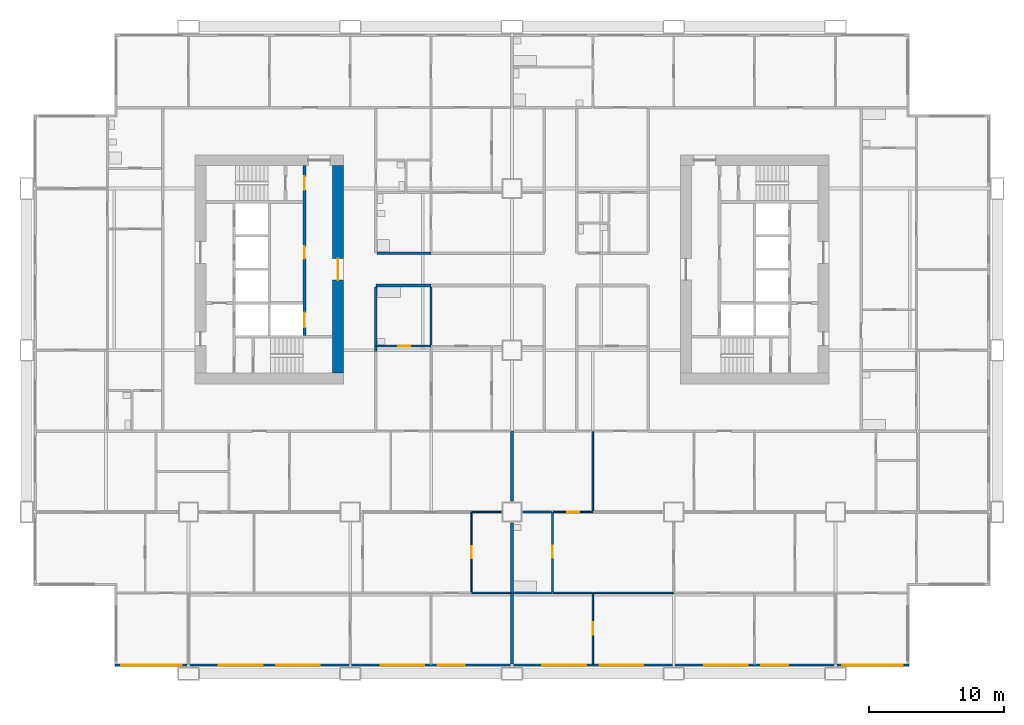
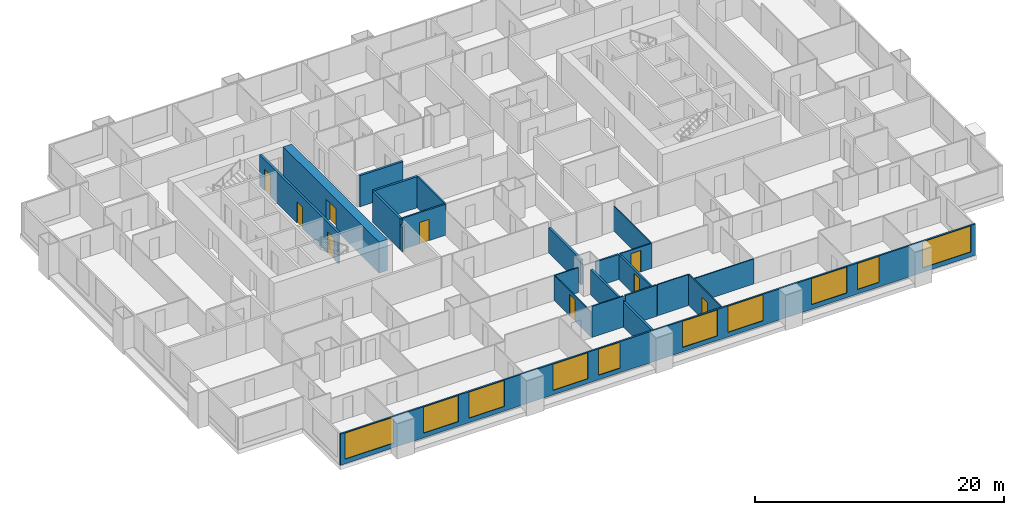
# One storey, part 4 of 13: 23 walls, 10 windows, 9 doors, 19 openings.
"""IFC4 building model written with IfcOpenShell, lengths in metres."""

from ifc_helpers import new_model, si_unit, direction, frame, frame_2d, origin, place, context, subcontext, project, spatial, rectangle, extrude, material, layer, layer_set, type_object, element, fill, save


model = new_model("IFC4")

# Units and contexts
model_context = context("Model", 3, precision=1e-05, world=origin(), true_north=direction((0.0, 1.0)))
body_context = subcontext(model_context, "Body", "Model", "MODEL_VIEW")
ifc_project = project(units=[si_unit("LENGTHUNIT", "METRE"), si_unit("AREAUNIT", "SQUARE_METRE"), si_unit("VOLUMEUNIT", "CUBIC_METRE"), si_unit("PLANEANGLEUNIT", "RADIAN"), si_unit("MASSUNIT", "GRAM", prefix="KILO")], contexts=[model_context])

# Site, building, storey
site_placement = place(None, origin())
site = spatial("IfcSite", under=ifc_project, at=site_placement, CompositionType="ELEMENT")
building_placement = place(site_placement, origin())
building = spatial("IfcBuilding", under=site, at=building_placement, Name="Kitamizu Gate Tower and Museum", CompositionType="ELEMENT")
storey_placement = place(building_placement, frame((0.0, 0.0, 88.64990234375)))
storey = spatial("IfcBuildingStorey", under=building, at=storey_placement, Name="L22", CompositionType="ELEMENT", Elevation=88.64990234375)

# Wall, opening, door
ifc_material_1 = material(Name="Concrete Fc60", Category="concrete")
ifc_layer_1 = layer(ifc_material_1, 0.800048828125)
ifc_layer_set_1 = layer_set([ifc_layer_1], Name="Concrete Fc60")
wall_type_1 = type_object("IfcWallType", Name="Core wall 800", PredefinedType="SHEAR", material=ifc_layer_set_1)
wall_1_placement = place(storey_placement, frame((23.10009765625, 22.300048828125, 0.0), z_axis=(0.0, 0.0, 1.0), x_axis=(0.0, 1.0, 0.0)))
wall_1 = element("IfcWall", 1, at=wall_1_placement, inside=storey, type_object=wall_type_1, Name="Core wall WARC", PredefinedType="SHEAR", context=body_context, shape_type="SweptSolid", body=[
    extrude(rectangle(XDim=15.39990234375, YDim=0.800048828125, at=frame_2d((7.699951171875, 0.0))), origin(), (0.0, 0.0, 1.0), 3.050048828125),
])
opening_1_placement = place(wall_1_placement, frame((6.89990234375, 0.0, 0.0)))
opening_1 = element("IfcOpeningElement", 2, at=opening_1_placement, cuts=wall_1, Name="Opening L22-084", PredefinedType="OPENING", context=body_context, shape_type="SweptSolid", body=[
    extrude(rectangle(XDim=1.60009765625, YDim=2.10009765625, at=frame_2d((0.800048828125, 1.050048828125))), frame((0.0, 0.41015625, 0.0), z_axis=(0.0, -1.0, 0.0), x_axis=(1.0, 0.0, 0.0)), (0.0, 0.0, 1.0), 0.820068359375),
])
ifc_material_2 = material(Name="Timber door set", Category="wood")
door_type_1 = type_object("IfcDoorType", Name="Entrance door 1600", OperationType="DOUBLE_DOOR_SINGLE_SWING", PredefinedType="DOOR", material=ifc_material_2)
door_1_placement = place(opening_1_placement, origin())
door_1 = element("IfcDoor", 3, at=door_1_placement, inside=storey, type_object=door_type_1, Name="Lobby door L22-084", OperationType="DOUBLE_DOOR_SINGLE_SWING", OverallHeight=2.10009765625, OverallWidth=1.60009765625, PredefinedType="DOOR", context=body_context, shape_type="SweptSolid", body=[
    extrude(rectangle(XDim=1.60009765625, YDim=2.10009765625, at=frame_2d((0.800048828125, 1.050048828125))), frame((0.0, 0.02490234375, 0.0), z_axis=(0.0, -1.0, 0.0), x_axis=(1.0, 0.0, 0.0)), (0.0, 0.0, 1.0), 0.050048828125),
])
fill(opening_1, door_1)

# Wall
ifc_material_3 = material(Name="Gypsum board on galvanised stud")
ifc_layer_2 = layer(ifc_material_3, 0.10009765625)
ifc_layer_set_2 = layer_set([ifc_layer_2], Name="Gypsum board on galvanised stud")
wall_type_2 = type_object("IfcWallType", Name="Partition 100 NOT RATED", PredefinedType="PARTITIONING", material=ifc_layer_set_2)
wall_2_placement = place(storey_placement, frame((35.89990234375, 6.0, 0.0), z_axis=(0.0, 0.0, 1.0), x_axis=(-1.0, 0.0, 0.0)))
element("IfcWall", 4, at=wall_2_placement, inside=storey, type_object=wall_type_2, Name="Partition L22-011", PredefinedType="PARTITIONING", context=body_context, shape_type="SweptSolid", body=[
    extrude(rectangle(XDim=2.89990234375, YDim=0.10009765625, at=frame_2d((1.449951171875, 0.0))), origin(), (0.0, 0.0, 1.0), 3.050048828125),
])

# Wall, opening, door
wall_3_placement = place(storey_placement, frame((33.0, 6.050048828125, 0.0), z_axis=(0.0, 0.0, 1.0), x_axis=(0.0, 1.0, 0.0)))
wall_3 = element("IfcWall", 5, at=wall_3_placement, inside=storey, type_object=wall_type_2, Name="Partition L22-023", PredefinedType="PARTITIONING", context=body_context, shape_type="SweptSolid", body=[
    extrude(rectangle(XDim=5.949951171875, YDim=0.10009765625, at=frame_2d((2.97509765625, 0.0))), origin(), (0.0, 0.0, 1.0), 2.4501953125),
])
opening_2_placement = place(wall_3_placement, frame((2.52490234375, 0.0, 0.0)))
opening_2 = element("IfcOpeningElement", 6, at=opening_2_placement, cuts=wall_3, Name="Opening L22-010", PredefinedType="OPENING", context=body_context, shape_type="SweptSolid", body=[
    extrude(rectangle(XDim=0.89990234375, YDim=2.10009765625, at=frame_2d((0.449951171875, 1.050048828125))), frame((0.0, 0.06005859375, 0.0), z_axis=(0.0, -1.0, 0.0), x_axis=(1.0, 0.0, 0.0)), (0.0, 0.0, 1.0), 0.1201171875),
])
ifc_material_4 = material(Name="Timber door set", Category="wood")
door_type_2 = type_object("IfcDoorType", Name="Room door 900", OperationType="NOTDEFINED", PredefinedType="DOOR", material=ifc_material_4)
door_2_placement = place(opening_2_placement, frame((0.89990234375, 0.0, 0.0), x_axis=(-1.0, 0.0, 0.0)))
door_2 = element("IfcDoor", 7, at=door_2_placement, inside=storey, type_object=door_type_2, Name="Door L22-010", OperationType="SINGLE_SWING_RIGHT", OverallHeight=2.10009765625, OverallWidth=0.89990234375, PredefinedType="DOOR", context=body_context, shape_type="SweptSolid", body=[
    extrude(rectangle(XDim=0.89990234375, YDim=2.10009765625, at=frame_2d((0.449951171875, 1.050048828125))), frame((0.0, 0.02490234375, 0.0), z_axis=(0.0, -1.0, 0.0), x_axis=(1.0, 0.0, 0.0)), (0.0, 0.0, 1.0), 0.050048828125),
])
fill(opening_2, door_2)

# Wall
wall_4_placement = place(storey_placement, frame((35.199951171875, 12.0, 0.0), z_axis=(0.0, 0.0, 1.0), x_axis=(-1.0, 0.0, 0.0)))
element("IfcWall", 8, at=wall_4_placement, inside=storey, type_object=wall_type_2, Name="Partition L22-026", PredefinedType="PARTITIONING", context=body_context, shape_type="SweptSolid", body=[
    extrude(rectangle(XDim=2.14990234375, YDim=0.10009765625, at=frame_2d((1.074951171875, 0.0))), origin(), (0.0, 0.0, 1.0), 2.4501953125),
])

# Wall, opening, door
wall_5_placement = place(storey_placement, frame((42.0, 0.719970703125, 0.0), z_axis=(0.0, 0.0, 1.0), x_axis=(0.0, 1.0, 0.0)))
wall_5 = element("IfcWall", 9, at=wall_5_placement, inside=storey, type_object=wall_type_2, Name="Partition L22-121", PredefinedType="PARTITIONING", context=body_context, shape_type="SweptSolid", body=[
    extrude(rectangle(XDim=5.280029296875, YDim=0.10009765625, at=frame_2d((2.64013671875, 0.0))), origin(), (0.0, 0.0, 1.0), 3.050048828125),
])
opening_3_placement = place(wall_5_placement, frame((2.18994140625, 0.0, 0.0)))
opening_3 = element("IfcOpeningElement", 10, at=opening_3_placement, cuts=wall_5, Name="Opening L22-048", PredefinedType="OPENING", context=body_context, shape_type="SweptSolid", body=[
    extrude(rectangle(XDim=0.89990234375, YDim=2.10009765625, at=frame_2d((0.449951171875, 1.050048828125))), frame((0.0, 0.06005859375, 0.0), z_axis=(0.0, -1.0, 0.0), x_axis=(1.0, 0.0, 0.0)), (0.0, 0.0, 1.0), 0.1201171875),
])
door_3_placement = place(opening_3_placement, origin())
door_3 = element("IfcDoor", 11, at=door_3_placement, inside=storey, type_object=door_type_2, Name="Door L22-048", OperationType="SINGLE_SWING_LEFT", OverallHeight=2.10009765625, OverallWidth=0.89990234375, PredefinedType="DOOR", context=body_context, shape_type="SweptSolid", body=[
    extrude(rectangle(XDim=0.89990234375, YDim=2.10009765625, at=frame_2d((0.449951171875, 1.050048828125))), frame((0.0, 0.02490234375, 0.0), z_axis=(0.0, -1.0, 0.0), x_axis=(1.0, 0.0, 0.0)), (0.0, 0.0, 1.0), 0.050048828125),
])
fill(opening_3, door_3)

# Walls
wall_6_placement = place(storey_placement, frame((41.949951171875, 6.0, 0.0), z_axis=(0.0, 0.0, 1.0), x_axis=(-1.0, 0.0, 0.0)))
element("IfcWall", 12, at=wall_6_placement, inside=storey, type_object=wall_type_2, Name="Partition L22-123", PredefinedType="PARTITIONING", context=body_context, shape_type="SweptSolid", body=[
    extrude(rectangle(XDim=2.875, YDim=0.10009765625, at=frame_2d((1.4375, 0.0))), origin(), (0.0, 0.0, 1.0), 3.050048828125),
])
wall_7_placement = place(storey_placement, frame((48.0, 6.0, 0.0), z_axis=(0.0, 0.0, 1.0), x_axis=(-1.0, 0.0, 0.0)))
element("IfcWall", 13, at=wall_7_placement, inside=storey, type_object=wall_type_2, Name="Partition L22-125", PredefinedType="PARTITIONING", context=body_context, shape_type="SweptSolid", body=[
    extrude(rectangle(XDim=5.949951171875, YDim=0.10009765625, at=frame_2d((2.97509765625, 0.0))), origin(), (0.0, 0.0, 1.0), 2.4501953125),
])

# Wall, opening, door
wall_8_placement = place(storey_placement, frame((42.0, 12.0, 0.0), z_axis=(0.0, 0.0, 1.0), x_axis=(-1.0, 0.0, 0.0)))
wall_8 = element("IfcWall", 14, at=wall_8_placement, inside=storey, type_object=wall_type_2, Name="Partition L22-134", PredefinedType="PARTITIONING", context=body_context, shape_type="SweptSolid", body=[
    extrude(rectangle(XDim=2.925048828125, YDim=0.10009765625, at=frame_2d((1.46240234375, 0.0))), origin(), (0.0, 0.0, 1.0), 2.4501953125),
])
opening_4_placement = place(wall_8_placement, frame((1.012451171875, 0.0, 0.0)))
opening_4 = element("IfcOpeningElement", 15, at=opening_4_placement, cuts=wall_8, Name="Opening L22-051", PredefinedType="OPENING", context=body_context, shape_type="SweptSolid", body=[
    extrude(rectangle(XDim=0.89990234375, YDim=2.10009765625, at=frame_2d((0.449951171875, 1.050048828125))), frame((0.0, 0.06005859375, 0.0), z_axis=(0.0, -1.0, 0.0), x_axis=(1.0, 0.0, 0.0)), (0.0, 0.0, 1.0), 0.1201171875),
])
door_4_placement = place(opening_4_placement, frame((0.89990234375, 0.0, 0.0), x_axis=(-1.0, 0.0, 0.0)))
door_4 = element("IfcDoor", 16, at=door_4_placement, inside=storey, type_object=door_type_2, Name="Door L22-051", OperationType="SINGLE_SWING_LEFT", OverallHeight=2.10009765625, OverallWidth=0.89990234375, PredefinedType="DOOR", context=body_context, shape_type="SweptSolid", body=[
    extrude(rectangle(XDim=0.89990234375, YDim=2.10009765625, at=frame_2d((0.449951171875, 1.050048828125))), frame((0.0, 0.02490234375, 0.0), z_axis=(0.0, -1.0, 0.0), x_axis=(1.0, 0.0, 0.0)), (0.0, 0.0, 1.0), 0.050048828125),
])
fill(opening_4, door_4)

# Wall
wall_9_placement = place(storey_placement, frame((42.0, 12.050048828125, 0.0), z_axis=(0.0, 0.0, 1.0), x_axis=(0.0, 1.0, 0.0)))
element("IfcWall", 17, at=wall_9_placement, inside=storey, type_object=wall_type_2, Name="Partition L22-145", PredefinedType="PARTITIONING", context=body_context, shape_type="SweptSolid", body=[
    extrude(rectangle(XDim=5.949951171875, YDim=0.10009765625, at=frame_2d((2.97509765625, 0.0))), origin(), (0.0, 0.0, 1.0), 2.4501953125),
])

# Wall, opening, door
ifc_material_5 = material(Name="Gypsum board on galvanised stud")
ifc_layer_3 = layer(ifc_material_5, 0.14990234375)
ifc_layer_set_3 = layer_set([ifc_layer_3], Name="Gypsum board on galvanised stud")
wall_type_3 = type_object("IfcWallType", Name="Partition 150", PredefinedType="PARTITIONING", material=ifc_layer_set_3)
wall_10_placement = place(storey_placement, frame((30.0, 24.300048828125, 0.0), z_axis=(0.0, 0.0, 1.0), x_axis=(-1.0, 0.0, 0.0)))
wall_10 = element("IfcWall", 18, at=wall_10_placement, inside=storey, type_object=wall_type_3, Name="Partition L22-048", PredefinedType="PARTITIONING", context=body_context, shape_type="SweptSolid", body=[
    extrude(rectangle(XDim=4.0, YDim=0.14990234375, at=frame_2d((2.0, 0.0))), origin(), (0.0, 0.0, 1.0), 3.050048828125),
])
opening_5_placement = place(wall_10_placement, frame((1.550048828125, 0.0, 0.0)))
opening_5 = element("IfcOpeningElement", 19, at=opening_5_placement, cuts=wall_10, Name="Opening L22-019", PredefinedType="OPENING", context=body_context, shape_type="SweptSolid", body=[
    extrude(rectangle(XDim=0.89990234375, YDim=2.10009765625, at=frame_2d((0.449951171875, 1.050048828125))), frame((0.0, 0.0849609375, 0.0), z_axis=(0.0, -1.0, 0.0), x_axis=(1.0, 0.0, 0.0)), (0.0, 0.0, 1.0), 0.169921875),
])
ifc_material_6 = material(Name="Timber door set", Category="wood")
door_type_3 = type_object("IfcDoorType", Name="Bathroom door 900", OperationType="NOTDEFINED", PredefinedType="DOOR", material=ifc_material_6)
door_5_placement = place(opening_5_placement, frame((0.89990234375, 0.0, 0.0), x_axis=(-1.0, 0.0, 0.0)))
door_5 = element("IfcDoor", 20, at=door_5_placement, inside=storey, type_object=door_type_3, Name="Bathroom door L22-019", OperationType="SINGLE_SWING_RIGHT", OverallHeight=2.10009765625, OverallWidth=0.89990234375, PredefinedType="DOOR", context=body_context, shape_type="SweptSolid", body=[
    extrude(rectangle(XDim=0.89990234375, YDim=2.10009765625, at=frame_2d((0.449951171875, 1.050048828125))), frame((0.0, 0.02490234375, 0.0), z_axis=(0.0, -1.0, 0.0), x_axis=(1.0, 0.0, 0.0)), (0.0, 0.0, 1.0), 0.050048828125),
])
fill(opening_5, door_5)

# Walls
wall_11_placement = place(storey_placement, frame((30.0, 24.375, 0.0), z_axis=(0.0, 0.0, 1.0), x_axis=(0.0, 1.0, 0.0)))
element("IfcWall", 21, at=wall_11_placement, inside=storey, type_object=wall_type_3, Name="Partition L22-057", PredefinedType="PARTITIONING", context=body_context, shape_type="SweptSolid", body=[
    extrude(rectangle(XDim=4.324951171875, YDim=0.14990234375, at=frame_2d((2.16259765625, 0.0))), origin(), (0.0, 0.0, 1.0), 3.050048828125),
])
wall_12_placement = place(storey_placement, frame((39.0, 6.0, 0.0), z_axis=(0.0, 0.0, 1.0), x_axis=(-1.0, 0.0, 0.0)))
element("IfcWall", 22, at=wall_12_placement, inside=storey, type_object=wall_type_3, Name="Partition L22-122", PredefinedType="PARTITIONING", context=body_context, shape_type="SweptSolid", body=[
    extrude(rectangle(XDim=2.89990234375, YDim=0.14990234375, at=frame_2d((1.449951171875, 0.0))), origin(), (0.0, 0.0, 1.0), 3.050048828125),
])

# Wall, opening, door
wall_13_placement = place(storey_placement, frame((39.0, 6.074951171875, 0.0), z_axis=(0.0, 0.0, 1.0), x_axis=(0.0, 1.0, 0.0)))
wall_13 = element("IfcWall", 23, at=wall_13_placement, inside=storey, type_object=wall_type_3, Name="Partition L22-131", PredefinedType="PARTITIONING", context=body_context, shape_type="SweptSolid", body=[
    extrude(rectangle(XDim=5.925048828125, YDim=0.14990234375, at=frame_2d((2.96240234375, 0.0))), origin(), (0.0, 0.0, 1.0), 2.4501953125),
])
opening_6_placement = place(wall_13_placement, frame((2.512451171875, 0.0, 0.0)))
opening_6 = element("IfcOpeningElement", 24, at=opening_6_placement, cuts=wall_13, Name="Opening L22-050", PredefinedType="OPENING", context=body_context, shape_type="SweptSolid", body=[
    extrude(rectangle(XDim=0.89990234375, YDim=2.10009765625, at=frame_2d((0.449951171875, 1.050048828125))), frame((0.0, 0.0849609375, 0.0), z_axis=(0.0, -1.0, 0.0), x_axis=(1.0, 0.0, 0.0)), (0.0, 0.0, 1.0), 0.169921875),
])
door_6_placement = place(opening_6_placement, origin())
door_6 = element("IfcDoor", 25, at=door_6_placement, inside=storey, type_object=door_type_3, Name="Bathroom door L22-050", OperationType="SINGLE_SWING_LEFT", OverallHeight=2.10009765625, OverallWidth=0.89990234375, PredefinedType="DOOR", context=body_context, shape_type="SweptSolid", body=[
    extrude(rectangle(XDim=0.89990234375, YDim=2.10009765625, at=frame_2d((0.449951171875, 1.050048828125))), frame((0.0, 0.02490234375, 0.0), z_axis=(0.0, -1.0, 0.0), x_axis=(1.0, 0.0, 0.0)), (0.0, 0.0, 1.0), 0.050048828125),
])
fill(opening_6, door_6)

# Walls
wall_14_placement = place(storey_placement, frame((38.925048828125, 12.0, 0.0), z_axis=(0.0, 0.0, 1.0), x_axis=(-1.0, 0.0, 0.0)))
element("IfcWall", 26, at=wall_14_placement, inside=storey, type_object=wall_type_3, Name="Partition L22-132", PredefinedType="PARTITIONING", context=body_context, shape_type="SweptSolid", body=[
    extrude(rectangle(XDim=2.125, YDim=0.14990234375, at=frame_2d((1.0625, 0.0))), origin(), (0.0, 0.0, 1.0), 2.4501953125),
])
ifc_material_7 = material(Name="Gypsum board on galvanised stud")
ifc_layer_4 = layer(ifc_material_7, 0.199951171875)
ifc_layer_set_4 = layer_set([ifc_layer_4], Name="Gypsum board on galvanised stud")
wall_type_4 = type_object("IfcWallType", Name="Partition 200", PredefinedType="PARTITIONING", material=ifc_layer_set_4)
wall_15_placement = place(storey_placement, frame((36.0, 0.719970703125, 0.0), z_axis=(0.0, 0.0, 1.0), x_axis=(0.0, 1.0, 0.0)))
element("IfcWall", 27, at=wall_15_placement, inside=storey, type_object=wall_type_4, Name="Partition L22-012", PredefinedType="PARTITIONING", context=body_context, shape_type="SweptSolid", body=[
    extrude(rectangle(XDim=5.280029296875, YDim=0.199951171875, at=frame_2d((2.64013671875, 0.0))), origin(), (0.0, 0.0, 1.0), 2.4501953125),
])
for number, where, z_axis, x_axis, name in (
    (28, (36.0, 6.0, 0.0), (0.0, 0.0, 1.0), (0.0, 1.0, 0.0), "Partition L22-027"),
    (29, (36.0, 12.800048828125, 0.0), (0.0, 0.0, 1.0), (0.0, 1.0, 0.0), "Partition L22-046"),
):
    element("IfcWall", number, at=place(storey_placement, frame(where, z_axis=z_axis, x_axis=x_axis)), inside=storey, type_object=wall_type_4, Name=name, PredefinedType="PARTITIONING", context=body_context, shape_type="SweptSolid", body=[
        extrude(rectangle(XDim=5.199951171875, YDim=0.199951171875, at=frame_2d((2.60009765625, 0.0))), origin(), (0.0, 0.0, 1.0), 2.4501953125),
    ])
wall_16_placement = place(storey_placement, frame((25.89990234375, 24.300048828125, 0.0), z_axis=(0.0, 0.0, 1.0), x_axis=(0.0, -1.0, 0.0)))
element("IfcWall", 30, at=wall_16_placement, inside=storey, type_object=wall_type_4, Name="Partition L22-049", PredefinedType="PARTITIONING", context=body_context, shape_type="SweptSolid", body=[
    extrude(rectangle(XDim=0.400146484375, YDim=0.199951171875, at=frame_2d((0.2001953125, 0.0))), origin(), (0.0, 0.0, 1.0), 2.4501953125),
])
wall_17_placement = place(storey_placement, frame((30.0, 28.800048828125, 0.0), z_axis=(0.0, 0.0, 1.0), x_axis=(-1.0, 0.0, 0.0)))
element("IfcWall", 31, at=wall_17_placement, inside=storey, type_object=wall_type_4, Name="Partition L22-058", PredefinedType="PARTITIONING", context=body_context, shape_type="SweptSolid", body=[
    extrude(rectangle(XDim=4.10009765625, YDim=0.199951171875, at=frame_2d((2.050048828125, 0.0))), origin(), (0.0, 0.0, 1.0), 3.050048828125),
])
wall_18_placement = place(storey_placement, frame((25.89990234375, 28.699951171875, 0.0), z_axis=(0.0, 0.0, 1.0), x_axis=(0.0, -1.0, 0.0)))
element("IfcWall", 32, at=wall_18_placement, inside=storey, type_object=wall_type_4, Name="Partition L22-059", PredefinedType="PARTITIONING", context=body_context, shape_type="SweptSolid", body=[
    extrude(rectangle(XDim=4.39990234375, YDim=0.199951171875, at=frame_2d((2.199951171875, 0.0))), origin(), (0.0, 0.0, 1.0), 3.050048828125),
])
wall_19_placement = place(storey_placement, frame((26.0, 31.199951171875, 0.0), z_axis=(0.0, 0.0, 1.0), x_axis=(1.0, 0.0, 0.0)))
element("IfcWall", 33, at=wall_19_placement, inside=storey, type_object=wall_type_4, Name="Partition L22-117", PredefinedType="PARTITIONING", context=body_context, shape_type="SweptSolid", body=[
    extrude(rectangle(XDim=4.0, YDim=0.199951171875, at=frame_2d((2.0, 0.0))), origin(), (0.0, 0.0, 1.0), 3.050048828125),
])

# Wall, openings, doors
ifc_material_8 = material(Name="Concrete Fc42", Category="concrete")
ifc_layer_5 = layer(ifc_material_8, 0.199951171875)
ifc_layer_set_5 = layer_set([ifc_layer_5], Name="Concrete Fc42")
wall_type_5 = type_object("IfcWallType", Name="Shaft wall 200", PredefinedType="SOLIDWALL", material=ifc_layer_set_5)
wall_20_placement = place(storey_placement, frame((20.60009765625, 25.10009765625, 0.0), z_axis=(0.0, 0.0, 1.0), x_axis=(0.0, 1.0, 0.0)))
wall_20 = element("IfcWall", 34, at=wall_20_placement, inside=storey, type_object=wall_type_5, Name="Shaft wall WEAST", PredefinedType="SOLIDWALL", context=body_context, shape_type="SweptSolid", body=[
    extrude(rectangle(XDim=12.599853515625, YDim=0.199951171875, at=frame_2d((6.2998046875, 0.0))), origin(), (0.0, 0.0, 1.0), 3.050048828125),
])
opening_7_placement = place(wall_20_placement, frame((0.60009765625, 0.0, 0.0)))
opening_7 = element("IfcOpeningElement", 35, at=opening_7_placement, cuts=wall_20, Name="Opening LD", PredefinedType="OPENING", context=body_context, shape_type="SweptSolid", body=[
    extrude(rectangle(XDim=1.10009765625, YDim=2.10009765625, at=frame_2d((0.550048828125, 1.050048828125))), frame((0.0, 0.10986328125, 0.0), z_axis=(0.0, -1.0, 0.0), x_axis=(1.0, 0.0, 0.0)), (0.0, 0.0, 1.0), 0.219970703125),
])
opening_8_placement = place(wall_20_placement, frame((10.800048828125, 0.0, 0.0)))
opening_8 = element("IfcOpeningElement", 36, at=opening_8_placement, cuts=wall_20, Name="Opening L22-078", PredefinedType="OPENING", context=body_context, shape_type="SweptSolid", body=[
    extrude(rectangle(XDim=1.0, YDim=2.10009765625, at=frame_2d((0.5, 1.050048828125))), frame((0.0, 0.10986328125, 0.0), z_axis=(0.0, -1.0, 0.0), x_axis=(1.0, 0.0, 0.0)), (0.0, 0.0, 1.0), 0.219970703125),
])
opening_9_placement = place(wall_20_placement, frame((5.699951171875, 0.0, 0.0)))
opening_9 = element("IfcOpeningElement", 37, at=opening_9_placement, cuts=wall_20, Name="Opening L22-085", PredefinedType="OPENING", context=body_context, shape_type="SweptSolid", body=[
    extrude(rectangle(XDim=0.89990234375, YDim=2.10009765625, at=frame_2d((0.449951171875, 1.050048828125))), frame((0.0, 0.10986328125, 0.0), z_axis=(0.0, -1.0, 0.0), x_axis=(1.0, 0.0, 0.0)), (0.0, 0.0, 1.0), 0.219970703125),
])
ifc_material_9 = material(Name="Hollow metal door set")
door_type_4 = type_object("IfcDoorType", Name="Fire door 1000", OperationType="NOTDEFINED", PredefinedType="DOOR", material=ifc_material_9)
door_7_placement = place(opening_8_placement, origin())
door_7 = element("IfcDoor", 38, at=door_7_placement, inside=storey, type_object=door_type_4, Name="Stair lobby door L22-078", OperationType="SINGLE_SWING_RIGHT", OverallHeight=2.10009765625, OverallWidth=1.0, PredefinedType="DOOR", context=body_context, shape_type="SweptSolid", body=[
    extrude(rectangle(XDim=1.0, YDim=2.10009765625, at=frame_2d((0.5, 1.050048828125))), frame((0.0, 0.02490234375, 0.0), z_axis=(0.0, -1.0, 0.0), x_axis=(1.0, 0.0, 0.0)), (0.0, 0.0, 1.0), 0.050048828125),
])
fill(opening_8, door_7)
ifc_material_10 = material(Name="Hollow metal door set")
door_type_5 = type_object("IfcDoorType", Name="Landing door 1100", OperationType="SLIDING_TO_LEFT", PredefinedType="DOOR", material=ifc_material_10)
door_8_placement = place(opening_7_placement, origin())
door_8 = element("IfcDoor", 39, at=door_8_placement, inside=storey, type_object=door_type_5, Name="Landing door WSV1", OperationType="SLIDING_TO_LEFT", OverallHeight=2.10009765625, OverallWidth=1.10009765625, PredefinedType="DOOR", context=body_context, shape_type="SweptSolid", body=[
    extrude(rectangle(XDim=1.10009765625, YDim=2.10009765625, at=frame_2d((0.550048828125, 1.050048828125))), frame((0.0, 0.02490234375, 0.0), z_axis=(0.0, -1.0, 0.0), x_axis=(1.0, 0.0, 0.0)), (0.0, 0.0, 1.0), 0.050048828125),
])
fill(opening_7, door_8)
ifc_material_11 = material(Name="Timber door set", Category="wood")
door_type_6 = type_object("IfcDoorType", Name="Service door 900", OperationType="NOTDEFINED", PredefinedType="DOOR", material=ifc_material_11)
door_9_placement = place(opening_9_placement, origin())
door_9 = element("IfcDoor", 40, at=door_9_placement, inside=storey, type_object=door_type_6, Name="Service door L22-085", OperationType="SINGLE_SWING_RIGHT", OverallHeight=2.10009765625, OverallWidth=0.89990234375, PredefinedType="DOOR", context=body_context, shape_type="SweptSolid", body=[
    extrude(rectangle(XDim=0.89990234375, YDim=2.10009765625, at=frame_2d((0.449951171875, 1.050048828125))), frame((0.0, 0.02490234375, 0.0), z_axis=(0.0, -1.0, 0.0), x_axis=(1.0, 0.0, 0.0)), (0.0, 0.0, 1.0), 0.050048828125),
])
fill(opening_9, door_9)

# Wall, openings, windows
ifc_material_12 = material(Name="Bronze anodised aluminium frame with insulated spandrel and tinted glass", Category="aluminium")
ifc_layer_6 = layer(ifc_material_12, 0.14990234375)
ifc_layer_set_6 = layer_set([ifc_layer_6], Name="Bronze anodised aluminium frame with insulated spandrel and tinted glass")
wall_type_6 = type_object("IfcWallType", Name="WINDOW WALL 150 BRONZE FRAME EI 30", PredefinedType="ELEMENTEDWALL", material=ifc_layer_set_6)
wall_21_placement = place(storey_placement, frame((6.56005859375, 0.635009765625, 0.0), z_axis=(0.0, 0.0, 1.0), x_axis=(1.0, 0.0, 0.0)))
wall_21 = element("IfcWall", 41, at=wall_21_placement, inside=storey, type_object=wall_type_6, Name="Window wall south L22", PredefinedType="ELEMENTEDWALL", context=body_context, shape_type="SweptSolid", body=[
    extrude(rectangle(XDim=58.8798828125, YDim=0.14990234375, at=frame_2d((29.43994140625, 0.0))), origin(), (0.0, 0.0, 1.0), 3.050048828125),
])
opening_10_placement = place(wall_21_placement, frame((0.43994140625, 0.0, 0.449951171875)))
opening_10 = element("IfcOpeningElement", 42, at=opening_10_placement, cuts=wall_21, Name="Opening W15", PredefinedType="OPENING", context=body_context, shape_type="SweptSolid", body=[
    extrude(rectangle(XDim=4.5, YDim=2.550048828125, at=frame_2d((2.25, 1.27490234375))), frame((0.0, 0.0849609375, 0.0), z_axis=(0.0, -1.0, 0.0), x_axis=(1.0, 0.0, 0.0)), (0.0, 0.0, 1.0), 0.169921875),
])
opening_11_placement = place(wall_21_placement, frame((7.68994140625, 0.0, 0.449951171875)))
opening_11 = element("IfcOpeningElement", 43, at=opening_11_placement, cuts=wall_21, Name="Opening W34", PredefinedType="OPENING", context=body_context, shape_type="SweptSolid", body=[
    extrude(rectangle(XDim=3.25, YDim=2.550048828125, at=frame_2d((1.625, 1.27490234375))), frame((0.0, 0.0849609375, 0.0), z_axis=(0.0, -1.0, 0.0), x_axis=(1.0, 0.0, 0.0)), (0.0, 0.0, 1.0), 0.169921875),
])
opening_12_placement = place(wall_21_placement, frame((11.93994140625, 0.0, 0.449951171875)))
opening_12 = element("IfcOpeningElement", 44, at=opening_12_placement, cuts=wall_21, Name="Opening W34", PredefinedType="OPENING", context=body_context, shape_type="SweptSolid", body=[
    extrude(rectangle(XDim=3.25, YDim=2.550048828125, at=frame_2d((1.625, 1.27490234375))), frame((0.0, 0.0849609375, 0.0), z_axis=(0.0, -1.0, 0.0), x_axis=(1.0, 0.0, 0.0)), (0.0, 0.0, 1.0), 0.169921875),
])
opening_13_placement = place(wall_21_placement, frame((19.68994140625, 0.0, 0.449951171875)))
opening_13 = element("IfcOpeningElement", 45, at=opening_13_placement, cuts=wall_21, Name="Opening W34", PredefinedType="OPENING", context=body_context, shape_type="SweptSolid", body=[
    extrude(rectangle(XDim=3.25, YDim=2.550048828125, at=frame_2d((1.625, 1.27490234375))), frame((0.0, 0.0849609375, 0.0), z_axis=(0.0, -1.0, 0.0), x_axis=(1.0, 0.0, 0.0)), (0.0, 0.0, 1.0), 0.169921875),
])
opening_14_placement = place(wall_21_placement, frame((23.93994140625, 0.0, 0.449951171875)))
opening_14 = element("IfcOpeningElement", 46, at=opening_14_placement, cuts=wall_21, Name="Opening W2", PredefinedType="OPENING", context=body_context, shape_type="SweptSolid", body=[
    extrude(rectangle(XDim=2.0, YDim=2.550048828125, at=frame_2d((1.0, 1.27490234375))), frame((0.0, 0.0849609375, 0.0), z_axis=(0.0, -1.0, 0.0), x_axis=(1.0, 0.0, 0.0)), (0.0, 0.0, 1.0), 0.169921875),
])
opening_15_placement = place(wall_21_placement, frame((31.68994140625, 0.0, 0.449951171875)))
opening_15 = element("IfcOpeningElement", 47, at=opening_15_placement, cuts=wall_21, Name="Opening W34", PredefinedType="OPENING", context=body_context, shape_type="SweptSolid", body=[
    extrude(rectangle(XDim=3.25, YDim=2.550048828125, at=frame_2d((1.625, 1.27490234375))), frame((0.0, 0.0849609375, 0.0), z_axis=(0.0, -1.0, 0.0), x_axis=(1.0, 0.0, 0.0)), (0.0, 0.0, 1.0), 0.169921875),
])
opening_16_placement = place(wall_21_placement, frame((35.93994140625, 0.0, 0.449951171875)))
opening_16 = element("IfcOpeningElement", 48, at=opening_16_placement, cuts=wall_21, Name="Opening W34", PredefinedType="OPENING", context=body_context, shape_type="SweptSolid", body=[
    extrude(rectangle(XDim=3.25, YDim=2.550048828125, at=frame_2d((1.625, 1.27490234375))), frame((0.0, 0.0849609375, 0.0), z_axis=(0.0, -1.0, 0.0), x_axis=(1.0, 0.0, 0.0)), (0.0, 0.0, 1.0), 0.169921875),
])
opening_17_placement = place(wall_21_placement, frame((43.68994140625, 0.0, 0.449951171875)))
opening_17 = element("IfcOpeningElement", 49, at=opening_17_placement, cuts=wall_21, Name="Opening W34", PredefinedType="OPENING", context=body_context, shape_type="SweptSolid", body=[
    extrude(rectangle(XDim=3.25, YDim=2.550048828125, at=frame_2d((1.625, 1.27490234375))), frame((0.0, 0.0849609375, 0.0), z_axis=(0.0, -1.0, 0.0), x_axis=(1.0, 0.0, 0.0)), (0.0, 0.0, 1.0), 0.169921875),
])
opening_18_placement = place(wall_21_placement, frame((47.93994140625, 0.0, 0.449951171875)))
opening_18 = element("IfcOpeningElement", 50, at=opening_18_placement, cuts=wall_21, Name="Opening W2", PredefinedType="OPENING", context=body_context, shape_type="SweptSolid", body=[
    extrude(rectangle(XDim=2.0, YDim=2.550048828125, at=frame_2d((1.0, 1.27490234375))), frame((0.0, 0.0849609375, 0.0), z_axis=(0.0, -1.0, 0.0), x_axis=(1.0, 0.0, 0.0)), (0.0, 0.0, 1.0), 0.169921875),
])
opening_19_placement = place(wall_21_placement, frame((53.93994140625, 0.0, 0.449951171875)))
opening_19 = element("IfcOpeningElement", 51, at=opening_19_placement, cuts=wall_21, Name="Opening W15", PredefinedType="OPENING", context=body_context, shape_type="SweptSolid", body=[
    extrude(rectangle(XDim=4.5, YDim=2.550048828125, at=frame_2d((2.25, 1.27490234375))), frame((0.0, 0.0849609375, 0.0), z_axis=(0.0, -1.0, 0.0), x_axis=(1.0, 0.0, 0.0)), (0.0, 0.0, 1.0), 0.169921875),
])
ifc_material_13 = material(Name="Bronze anodised aluminium frame, tinted triple glazing", Category="aluminium")
window_type_1 = type_object("IfcWindowType", Name="WINDOW 2000 x 2550 SILL 450", PartitioningType="SINGLE_PANEL", PredefinedType="WINDOW", material=ifc_material_13)
window_1_placement = place(opening_14_placement, origin())
window_1 = element("IfcWindow", 52, at=window_1_placement, inside=storey, type_object=window_type_1, Name="Window W2 L22", OverallHeight=2.550048828125, OverallWidth=2.0, PartitioningType="SINGLE_PANEL", PredefinedType="WINDOW", context=body_context, shape_type="SweptSolid", body=[
    extrude(rectangle(XDim=2.0, YDim=2.550048828125, at=frame_2d((1.0, 1.27490234375))), frame((0.0, 0.030029296875, 0.0), z_axis=(0.0, -1.0, 0.0), x_axis=(1.0, 0.0, 0.0)), (0.0, 0.0, 1.0), 0.06005859375),
])
fill(opening_14, window_1)
window_2_placement = place(opening_18_placement, origin())
window_2 = element("IfcWindow", 53, at=window_2_placement, inside=storey, type_object=window_type_1, Name="Window W2 L22", OverallHeight=2.550048828125, OverallWidth=2.0, PartitioningType="SINGLE_PANEL", PredefinedType="WINDOW", context=body_context, shape_type="SweptSolid", body=[
    extrude(rectangle(XDim=2.0, YDim=2.550048828125, at=frame_2d((1.0, 1.27490234375))), frame((0.0, 0.030029296875, 0.0), z_axis=(0.0, -1.0, 0.0), x_axis=(1.0, 0.0, 0.0)), (0.0, 0.0, 1.0), 0.06005859375),
])
fill(opening_18, window_2)
ifc_material_14 = material(Name="Bronze anodised aluminium frame, tinted triple glazing", Category="aluminium")
window_type_2 = type_object("IfcWindowType", Name="WINDOW 3250 x 2550 SILL 450", PartitioningType="SINGLE_PANEL", PredefinedType="WINDOW", material=ifc_material_14)
window_3_placement = place(opening_11_placement, origin())
window_3 = element("IfcWindow", 54, at=window_3_placement, inside=storey, type_object=window_type_2, Name="Window W34 L22", OverallHeight=2.550048828125, OverallWidth=3.25, PartitioningType="SINGLE_PANEL", PredefinedType="WINDOW", context=body_context, shape_type="SweptSolid", body=[
    extrude(rectangle(XDim=3.25, YDim=2.550048828125, at=frame_2d((1.625, 1.27490234375))), frame((0.0, 0.030029296875, 0.0), z_axis=(0.0, -1.0, 0.0), x_axis=(1.0, 0.0, 0.0)), (0.0, 0.0, 1.0), 0.06005859375),
])
fill(opening_11, window_3)
window_4_placement = place(opening_12_placement, origin())
window_4 = element("IfcWindow", 55, at=window_4_placement, inside=storey, type_object=window_type_2, Name="Window W34 L22", OverallHeight=2.550048828125, OverallWidth=3.25, PartitioningType="SINGLE_PANEL", PredefinedType="WINDOW", context=body_context, shape_type="SweptSolid", body=[
    extrude(rectangle(XDim=3.25, YDim=2.550048828125, at=frame_2d((1.625, 1.27490234375))), frame((0.0, 0.030029296875, 0.0), z_axis=(0.0, -1.0, 0.0), x_axis=(1.0, 0.0, 0.0)), (0.0, 0.0, 1.0), 0.06005859375),
])
fill(opening_12, window_4)
window_5_placement = place(opening_13_placement, origin())
window_5 = element("IfcWindow", 56, at=window_5_placement, inside=storey, type_object=window_type_2, Name="Window W34 L22", OverallHeight=2.550048828125, OverallWidth=3.25, PartitioningType="SINGLE_PANEL", PredefinedType="WINDOW", context=body_context, shape_type="SweptSolid", body=[
    extrude(rectangle(XDim=3.25, YDim=2.550048828125, at=frame_2d((1.625, 1.27490234375))), frame((0.0, 0.030029296875, 0.0), z_axis=(0.0, -1.0, 0.0), x_axis=(1.0, 0.0, 0.0)), (0.0, 0.0, 1.0), 0.06005859375),
])
fill(opening_13, window_5)
window_6_placement = place(opening_15_placement, origin())
window_6 = element("IfcWindow", 57, at=window_6_placement, inside=storey, type_object=window_type_2, Name="Window W34 L22", OverallHeight=2.550048828125, OverallWidth=3.25, PartitioningType="SINGLE_PANEL", PredefinedType="WINDOW", context=body_context, shape_type="SweptSolid", body=[
    extrude(rectangle(XDim=3.25, YDim=2.550048828125, at=frame_2d((1.625, 1.27490234375))), frame((0.0, 0.030029296875, 0.0), z_axis=(0.0, -1.0, 0.0), x_axis=(1.0, 0.0, 0.0)), (0.0, 0.0, 1.0), 0.06005859375),
])
fill(opening_15, window_6)
window_7_placement = place(opening_16_placement, origin())
window_7 = element("IfcWindow", 58, at=window_7_placement, inside=storey, type_object=window_type_2, Name="Window W34 L22", OverallHeight=2.550048828125, OverallWidth=3.25, PartitioningType="SINGLE_PANEL", PredefinedType="WINDOW", context=body_context, shape_type="SweptSolid", body=[
    extrude(rectangle(XDim=3.25, YDim=2.550048828125, at=frame_2d((1.625, 1.27490234375))), frame((0.0, 0.030029296875, 0.0), z_axis=(0.0, -1.0, 0.0), x_axis=(1.0, 0.0, 0.0)), (0.0, 0.0, 1.0), 0.06005859375),
])
fill(opening_16, window_7)
window_8_placement = place(opening_17_placement, origin())
window_8 = element("IfcWindow", 59, at=window_8_placement, inside=storey, type_object=window_type_2, Name="Window W34 L22", OverallHeight=2.550048828125, OverallWidth=3.25, PartitioningType="SINGLE_PANEL", PredefinedType="WINDOW", context=body_context, shape_type="SweptSolid", body=[
    extrude(rectangle(XDim=3.25, YDim=2.550048828125, at=frame_2d((1.625, 1.27490234375))), frame((0.0, 0.030029296875, 0.0), z_axis=(0.0, -1.0, 0.0), x_axis=(1.0, 0.0, 0.0)), (0.0, 0.0, 1.0), 0.06005859375),
])
fill(opening_17, window_8)
ifc_material_15 = material(Name="Bronze anodised aluminium frame, tinted triple glazing", Category="aluminium")
window_type_3 = type_object("IfcWindowType", Name="WINDOW 4500 x 2550 SILL 450", PartitioningType="SINGLE_PANEL", PredefinedType="WINDOW", material=ifc_material_15)
window_9_placement = place(opening_10_placement, origin())
window_9 = element("IfcWindow", 60, at=window_9_placement, inside=storey, type_object=window_type_3, Name="Window W15 L22", OverallHeight=2.550048828125, OverallWidth=4.5, PartitioningType="SINGLE_PANEL", PredefinedType="WINDOW", context=body_context, shape_type="SweptSolid", body=[
    extrude(rectangle(XDim=4.5, YDim=2.550048828125, at=frame_2d((2.25, 1.27490234375))), frame((0.0, 0.030029296875, 0.0), z_axis=(0.0, -1.0, 0.0), x_axis=(1.0, 0.0, 0.0)), (0.0, 0.0, 1.0), 0.06005859375),
])
fill(opening_10, window_9)
window_10_placement = place(opening_19_placement, origin())
window_10 = element("IfcWindow", 61, at=window_10_placement, inside=storey, type_object=window_type_3, Name="Window W15 L22", OverallHeight=2.550048828125, OverallWidth=4.5, PartitioningType="SINGLE_PANEL", PredefinedType="WINDOW", context=body_context, shape_type="SweptSolid", body=[
    extrude(rectangle(XDim=4.5, YDim=2.550048828125, at=frame_2d((2.25, 1.27490234375))), frame((0.0, 0.030029296875, 0.0), z_axis=(0.0, -1.0, 0.0), x_axis=(1.0, 0.0, 0.0)), (0.0, 0.0, 1.0), 0.06005859375),
])
fill(opening_19, window_10)

save(model, "model.ifc")
